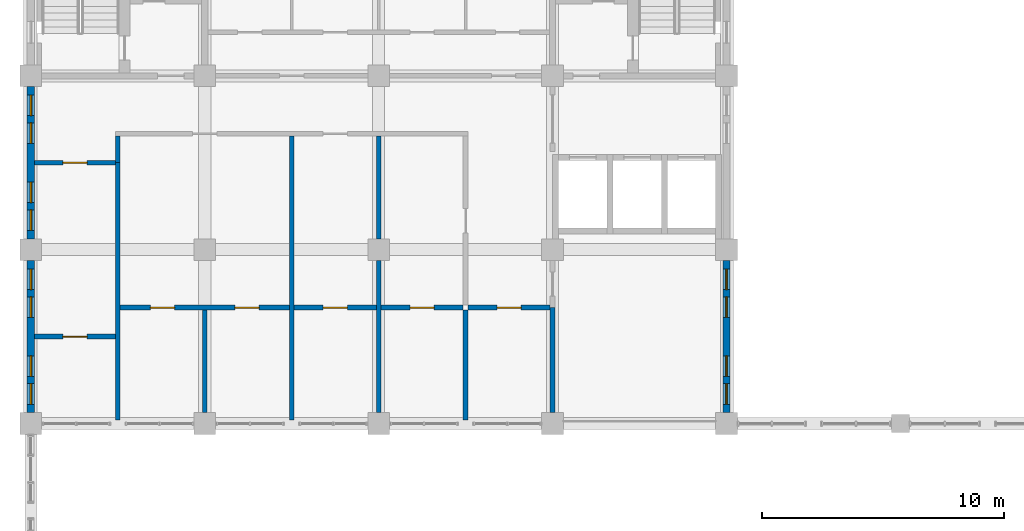
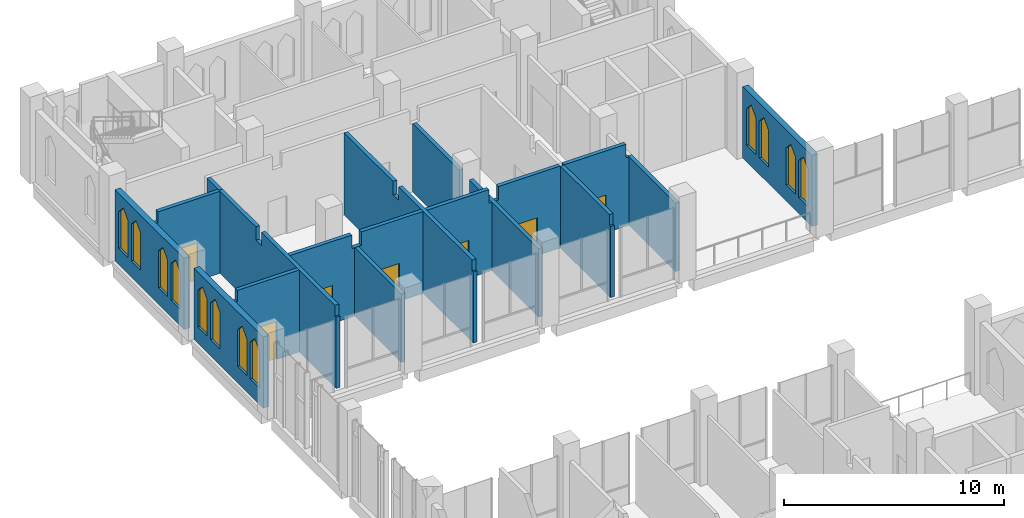
# One storey, part 22 of 30: 17 walls, 12 windows, 7 doors, 19 openings.
"""IFC4 building model written with IfcOpenShell, lengths in metres."""

from ifc_helpers import new_model, si_unit, direction, frame, frame_2d, origin, place, context, subcontext, project, spatial, polyline, rectangle, outline, extrude, material, layer, layer_set, type_object, element, fill, save


model = new_model("IFC4")

# Units and contexts
model_context = context("Model", 3, precision=1e-05, world=origin(), true_north=direction((0.0, 1.0)))
body_context = subcontext(model_context, "Body", "Model", "MODEL_VIEW")
ifc_project = project(units=[si_unit("LENGTHUNIT", "METRE"), si_unit("AREAUNIT", "SQUARE_METRE"), si_unit("VOLUMEUNIT", "CUBIC_METRE"), si_unit("PLANEANGLEUNIT", "RADIAN"), si_unit("MASSUNIT", "GRAM", prefix="KILO")], contexts=[model_context])

# Site, building, storey
site_placement = place(None, origin())
site = spatial("IfcSite", under=ifc_project, at=site_placement, CompositionType="ELEMENT")
building_placement = place(site_placement, origin())
building = spatial("IfcBuilding", under=site, at=building_placement, Name="Silangan Lancet Faculty of Sciences", CompositionType="ELEMENT")
storey_placement = place(building_placement, frame((0.0, 0.0, 31.199951171875)))
storey = spatial("IfcBuildingStorey", under=building, at=storey_placement, Name="L06", CompositionType="ELEMENT", Elevation=31.199951171875)

# Wall, openings, windows
ifc_material_1 = material(Name="Concrete C40/50 precast", Category="concrete")
ifc_layer_1 = layer(ifc_material_1, 0.300048828125)
ifc_layer_set_1 = layer_set([ifc_layer_1], Name="Concrete C40/50 precast")
wall_type_1 = type_object("IfcWallType", Name="EW1 Precast cladding wall", PredefinedType="STANDARD", material=ifc_layer_set_1)
wall_1_placement = place(storey_placement, frame((0.0, 36.449951171875, 0.0), z_axis=(0.0, 0.0, 1.0), x_axis=(0.0, 1.0, 0.0)))
wall_1 = element("IfcWall", 1, at=wall_1_placement, inside=storey, type_object=wall_type_1, Name="EW-L06-W-NT-00", PredefinedType="STANDARD", context=body_context, shape_type="SweptSolid", body=[
    extrude(rectangle(XDim=6.300048828125, YDim=0.300048828125, at=frame_2d((3.14990234375, 0.0))), origin(), (0.0, 0.0, 1.0), 3.949951171875),
])
opening_1_placement = place(wall_1_placement, frame((0.35009765625, 0.0, 0.89990234375)))
opening_1 = element("IfcOpeningElement", 2, at=opening_1_placement, cuts=wall_1, Name="Opening W14", PredefinedType="OPENING", context=body_context, shape_type="SweptSolid", body=[
    extrude(outline(polyline([(0.0, 0.0), (0.85009765625, 0.0), (0.85009765625, 2.050048828125), (0.425048828125, 2.5), (0.0, 2.050048828125), (0.0, 0.0)])), frame((0.0, 0.159912109375, 0.0), z_axis=(0.0, -1.0, 0.0), x_axis=(1.0, 0.0, 0.0)), (0.0, 0.0, 1.0), 0.320068359375),
])
opening_2_placement = place(wall_1_placement, frame((1.5, 0.0, 0.89990234375)))
opening_2 = element("IfcOpeningElement", 3, at=opening_2_placement, cuts=wall_1, Name="Opening W14", PredefinedType="OPENING", context=body_context, shape_type="SweptSolid", body=[
    extrude(outline(polyline([(0.0, 0.0), (0.85009765625, 0.0), (0.85009765625, 2.050048828125), (0.425048828125, 2.5), (0.0, 2.050048828125), (0.0, 0.0)])), frame((0.0, 0.159912109375, 0.0), z_axis=(0.0, -1.0, 0.0), x_axis=(1.0, 0.0, 0.0)), (0.0, 0.0, 1.0), 0.320068359375),
])
opening_3_placement = place(wall_1_placement, frame((3.949951171875, 0.0, 0.89990234375)))
opening_3 = element("IfcOpeningElement", 4, at=opening_3_placement, cuts=wall_1, Name="Opening W14", PredefinedType="OPENING", context=body_context, shape_type="SweptSolid", body=[
    extrude(outline(polyline([(0.0, 0.0), (0.85009765625, 0.0), (0.85009765625, 2.050048828125), (0.425048828125, 2.5), (0.0, 2.050048828125), (0.0, 0.0)])), frame((0.0, 0.159912109375, 0.0), z_axis=(0.0, -1.0, 0.0), x_axis=(1.0, 0.0, 0.0)), (0.0, 0.0, 1.0), 0.320068359375),
])
opening_4_placement = place(wall_1_placement, frame((5.10009765625, 0.0, 0.89990234375)))
opening_4 = element("IfcOpeningElement", 5, at=opening_4_placement, cuts=wall_1, Name="Opening W14", PredefinedType="OPENING", context=body_context, shape_type="SweptSolid", body=[
    extrude(outline(polyline([(0.0, 0.0), (0.85009765625, 0.0), (0.85009765625, 2.050048828125), (0.425048828125, 2.5), (0.0, 2.050048828125), (0.0, 0.0)])), frame((0.0, 0.159912109375, 0.0), z_axis=(0.0, -1.0, 0.0), x_axis=(1.0, 0.0, 0.0)), (0.0, 0.0, 1.0), 0.320068359375),
])
ifc_material_2 = material(Name="Aluminium frame, laminated double glazing", Category="aluminium")
window_type = type_object("IfcWindowType", Name="W14 Lancet window 850 x 2500", PartitioningType="SINGLE_PANEL", PredefinedType="WINDOW", material=ifc_material_2)
window_1_placement = place(opening_1_placement, origin())
window_1 = element("IfcWindow", 6, at=window_1_placement, inside=storey, type_object=window_type, Name="WIN-L06-W-NT-00a1", OverallHeight=2.5, OverallWidth=0.85009765625, PartitioningType="SINGLE_PANEL", PredefinedType="WINDOW", context=body_context, shape_type="SweptSolid", body=[
    extrude(outline(polyline([(0.0, 0.0), (0.85009765625, 0.0), (0.85009765625, 2.050048828125), (0.425048828125, 2.5), (0.0, 2.050048828125), (0.0, 0.0)])), frame((0.0, 0.030029296875, 0.0), z_axis=(0.0, -1.0, 0.0), x_axis=(1.0, 0.0, 0.0)), (0.0, 0.0, 1.0), 0.06005859375),
])
fill(opening_1, window_1)
window_2_placement = place(opening_2_placement, origin())
window_2 = element("IfcWindow", 7, at=window_2_placement, inside=storey, type_object=window_type, Name="WIN-L06-W-NT-00a2", OverallHeight=2.5, OverallWidth=0.85009765625, PartitioningType="SINGLE_PANEL", PredefinedType="WINDOW", context=body_context, shape_type="SweptSolid", body=[
    extrude(outline(polyline([(0.0, 0.0), (0.85009765625, 0.0), (0.85009765625, 2.050048828125), (0.425048828125, 2.5), (0.0, 2.050048828125), (0.0, 0.0)])), frame((0.0, 0.030029296875, 0.0), z_axis=(0.0, -1.0, 0.0), x_axis=(1.0, 0.0, 0.0)), (0.0, 0.0, 1.0), 0.06005859375),
])
fill(opening_2, window_2)
window_3_placement = place(opening_3_placement, origin())
window_3 = element("IfcWindow", 8, at=window_3_placement, inside=storey, type_object=window_type, Name="WIN-L06-W-NT-00b1", OverallHeight=2.5, OverallWidth=0.85009765625, PartitioningType="SINGLE_PANEL", PredefinedType="WINDOW", context=body_context, shape_type="SweptSolid", body=[
    extrude(outline(polyline([(0.0, 0.0), (0.85009765625, 0.0), (0.85009765625, 2.050048828125), (0.425048828125, 2.5), (0.0, 2.050048828125), (0.0, 0.0)])), frame((0.0, 0.030029296875, 0.0), z_axis=(0.0, -1.0, 0.0), x_axis=(1.0, 0.0, 0.0)), (0.0, 0.0, 1.0), 0.06005859375),
])
fill(opening_3, window_3)
window_4_placement = place(opening_4_placement, origin())
window_4 = element("IfcWindow", 9, at=window_4_placement, inside=storey, type_object=window_type, Name="WIN-L06-W-NT-00b2", OverallHeight=2.5, OverallWidth=0.85009765625, PartitioningType="SINGLE_PANEL", PredefinedType="WINDOW", context=body_context, shape_type="SweptSolid", body=[
    extrude(outline(polyline([(0.0, 0.0), (0.85009765625, 0.0), (0.85009765625, 2.050048828125), (0.425048828125, 2.5), (0.0, 2.050048828125), (0.0, 0.0)])), frame((0.0, 0.030029296875, 0.0), z_axis=(0.0, -1.0, 0.0), x_axis=(1.0, 0.0, 0.0)), (0.0, 0.0, 1.0), 0.06005859375),
])
fill(opening_4, window_4)

wall_2_placement = place(storey_placement, frame((0.0, 43.64990234375, 0.0), z_axis=(0.0, 0.0, 1.0), x_axis=(0.0, 1.0, 0.0)))
wall_2 = element("IfcWall", 10, at=wall_2_placement, inside=storey, type_object=wall_type_1, Name="EW-L06-W-NT-01", PredefinedType="STANDARD", context=body_context, shape_type="SweptSolid", body=[
    extrude(rectangle(XDim=6.300048828125, YDim=0.300048828125, at=frame_2d((3.14990234375, 0.0))), origin(), (0.0, 0.0, 1.0), 3.949951171875),
])
opening_5_placement = place(wall_2_placement, frame((0.35009765625, 0.0, 0.89990234375)))
opening_5 = element("IfcOpeningElement", 11, at=opening_5_placement, cuts=wall_2, Name="Opening W14", PredefinedType="OPENING", context=body_context, shape_type="SweptSolid", body=[
    extrude(outline(polyline([(0.0, 0.0), (0.85009765625, 0.0), (0.85009765625, 2.050048828125), (0.425048828125, 2.5), (0.0, 2.050048828125), (0.0, 0.0)])), frame((0.0, 0.159912109375, 0.0), z_axis=(0.0, -1.0, 0.0), x_axis=(1.0, 0.0, 0.0)), (0.0, 0.0, 1.0), 0.320068359375),
])
opening_6_placement = place(wall_2_placement, frame((1.5, 0.0, 0.89990234375)))
opening_6 = element("IfcOpeningElement", 12, at=opening_6_placement, cuts=wall_2, Name="Opening W14", PredefinedType="OPENING", context=body_context, shape_type="SweptSolid", body=[
    extrude(outline(polyline([(0.0, 0.0), (0.85009765625, 0.0), (0.85009765625, 2.050048828125), (0.425048828125, 2.5), (0.0, 2.050048828125), (0.0, 0.0)])), frame((0.0, 0.159912109375, 0.0), z_axis=(0.0, -1.0, 0.0), x_axis=(1.0, 0.0, 0.0)), (0.0, 0.0, 1.0), 0.320068359375),
])
opening_7_placement = place(wall_2_placement, frame((3.949951171875, 0.0, 0.89990234375)))
opening_7 = element("IfcOpeningElement", 13, at=opening_7_placement, cuts=wall_2, Name="Opening W14", PredefinedType="OPENING", context=body_context, shape_type="SweptSolid", body=[
    extrude(outline(polyline([(0.0, 0.0), (0.85009765625, 0.0), (0.85009765625, 2.050048828125), (0.425048828125, 2.5), (0.0, 2.050048828125), (0.0, 0.0)])), frame((0.0, 0.159912109375, 0.0), z_axis=(0.0, -1.0, 0.0), x_axis=(1.0, 0.0, 0.0)), (0.0, 0.0, 1.0), 0.320068359375),
])
opening_8_placement = place(wall_2_placement, frame((5.10009765625, 0.0, 0.89990234375)))
opening_8 = element("IfcOpeningElement", 14, at=opening_8_placement, cuts=wall_2, Name="Opening W14", PredefinedType="OPENING", context=body_context, shape_type="SweptSolid", body=[
    extrude(outline(polyline([(0.0, 0.0), (0.85009765625, 0.0), (0.85009765625, 2.050048828125), (0.425048828125, 2.5), (0.0, 2.050048828125), (0.0, 0.0)])), frame((0.0, 0.159912109375, 0.0), z_axis=(0.0, -1.0, 0.0), x_axis=(1.0, 0.0, 0.0)), (0.0, 0.0, 1.0), 0.320068359375),
])
window_5_placement = place(opening_5_placement, origin())
window_5 = element("IfcWindow", 15, at=window_5_placement, inside=storey, type_object=window_type, Name="WIN-L06-W-NT-01a1", OverallHeight=2.5, OverallWidth=0.85009765625, PartitioningType="SINGLE_PANEL", PredefinedType="WINDOW", context=body_context, shape_type="SweptSolid", body=[
    extrude(outline(polyline([(0.0, 0.0), (0.85009765625, 0.0), (0.85009765625, 2.050048828125), (0.425048828125, 2.5), (0.0, 2.050048828125), (0.0, 0.0)])), frame((0.0, 0.030029296875, 0.0), z_axis=(0.0, -1.0, 0.0), x_axis=(1.0, 0.0, 0.0)), (0.0, 0.0, 1.0), 0.06005859375),
])
fill(opening_5, window_5)
window_6_placement = place(opening_6_placement, origin())
window_6 = element("IfcWindow", 16, at=window_6_placement, inside=storey, type_object=window_type, Name="WIN-L06-W-NT-01a2", OverallHeight=2.5, OverallWidth=0.85009765625, PartitioningType="SINGLE_PANEL", PredefinedType="WINDOW", context=body_context, shape_type="SweptSolid", body=[
    extrude(outline(polyline([(0.0, 0.0), (0.85009765625, 0.0), (0.85009765625, 2.050048828125), (0.425048828125, 2.5), (0.0, 2.050048828125), (0.0, 0.0)])), frame((0.0, 0.030029296875, 0.0), z_axis=(0.0, -1.0, 0.0), x_axis=(1.0, 0.0, 0.0)), (0.0, 0.0, 1.0), 0.06005859375),
])
fill(opening_6, window_6)
window_7_placement = place(opening_7_placement, origin())
window_7 = element("IfcWindow", 17, at=window_7_placement, inside=storey, type_object=window_type, Name="WIN-L06-W-NT-01b1", OverallHeight=2.5, OverallWidth=0.85009765625, PartitioningType="SINGLE_PANEL", PredefinedType="WINDOW", context=body_context, shape_type="SweptSolid", body=[
    extrude(outline(polyline([(0.0, 0.0), (0.85009765625, 0.0), (0.85009765625, 2.050048828125), (0.425048828125, 2.5), (0.0, 2.050048828125), (0.0, 0.0)])), frame((0.0, 0.030029296875, 0.0), z_axis=(0.0, -1.0, 0.0), x_axis=(1.0, 0.0, 0.0)), (0.0, 0.0, 1.0), 0.06005859375),
])
fill(opening_7, window_7)
window_8_placement = place(opening_8_placement, origin())
window_8 = element("IfcWindow", 18, at=window_8_placement, inside=storey, type_object=window_type, Name="WIN-L06-W-NT-01b2", OverallHeight=2.5, OverallWidth=0.85009765625, PartitioningType="SINGLE_PANEL", PredefinedType="WINDOW", context=body_context, shape_type="SweptSolid", body=[
    extrude(outline(polyline([(0.0, 0.0), (0.85009765625, 0.0), (0.85009765625, 2.050048828125), (0.425048828125, 2.5), (0.0, 2.050048828125), (0.0, 0.0)])), frame((0.0, 0.030029296875, 0.0), z_axis=(0.0, -1.0, 0.0), x_axis=(1.0, 0.0, 0.0)), (0.0, 0.0, 1.0), 0.06005859375),
])
fill(opening_8, window_8)

wall_3_placement = place(storey_placement, frame((28.800048828125, 36.449951171875, 0.0), z_axis=(0.0, 0.0, 1.0), x_axis=(0.0, 1.0, 0.0)))
wall_3 = element("IfcWall", 19, at=wall_3_placement, inside=storey, type_object=wall_type_1, Name="EW-L06-E-NT-00", PredefinedType="STANDARD", context=body_context, shape_type="SweptSolid", body=[
    extrude(rectangle(XDim=6.300048828125, YDim=0.300048828125, at=frame_2d((3.14990234375, 0.0))), origin(), (0.0, 0.0, 1.0), 3.949951171875),
])
opening_9_placement = place(wall_3_placement, frame((0.35009765625, 0.0, 0.89990234375)))
opening_9 = element("IfcOpeningElement", 20, at=opening_9_placement, cuts=wall_3, Name="Opening W14", PredefinedType="OPENING", context=body_context, shape_type="SweptSolid", body=[
    extrude(outline(polyline([(0.0, 0.0), (0.85009765625, 0.0), (0.85009765625, 2.050048828125), (0.425048828125, 2.5), (0.0, 2.050048828125), (0.0, 0.0)])), frame((0.0, 0.159912109375, 0.0), z_axis=(0.0, -1.0, 0.0), x_axis=(1.0, 0.0, 0.0)), (0.0, 0.0, 1.0), 0.320068359375),
])
opening_10_placement = place(wall_3_placement, frame((1.5, 0.0, 0.89990234375)))
opening_10 = element("IfcOpeningElement", 21, at=opening_10_placement, cuts=wall_3, Name="Opening W14", PredefinedType="OPENING", context=body_context, shape_type="SweptSolid", body=[
    extrude(outline(polyline([(0.0, 0.0), (0.85009765625, 0.0), (0.85009765625, 2.050048828125), (0.425048828125, 2.5), (0.0, 2.050048828125), (0.0, 0.0)])), frame((0.0, 0.159912109375, 0.0), z_axis=(0.0, -1.0, 0.0), x_axis=(1.0, 0.0, 0.0)), (0.0, 0.0, 1.0), 0.320068359375),
])
opening_11_placement = place(wall_3_placement, frame((3.949951171875, 0.0, 0.89990234375)))
opening_11 = element("IfcOpeningElement", 22, at=opening_11_placement, cuts=wall_3, Name="Opening W14", PredefinedType="OPENING", context=body_context, shape_type="SweptSolid", body=[
    extrude(outline(polyline([(0.0, 0.0), (0.85009765625, 0.0), (0.85009765625, 2.050048828125), (0.425048828125, 2.5), (0.0, 2.050048828125), (0.0, 0.0)])), frame((0.0, 0.159912109375, 0.0), z_axis=(0.0, -1.0, 0.0), x_axis=(1.0, 0.0, 0.0)), (0.0, 0.0, 1.0), 0.320068359375),
])
opening_12_placement = place(wall_3_placement, frame((5.10009765625, 0.0, 0.89990234375)))
opening_12 = element("IfcOpeningElement", 23, at=opening_12_placement, cuts=wall_3, Name="Opening W14", PredefinedType="OPENING", context=body_context, shape_type="SweptSolid", body=[
    extrude(outline(polyline([(0.0, 0.0), (0.85009765625, 0.0), (0.85009765625, 2.050048828125), (0.425048828125, 2.5), (0.0, 2.050048828125), (0.0, 0.0)])), frame((0.0, 0.159912109375, 0.0), z_axis=(0.0, -1.0, 0.0), x_axis=(1.0, 0.0, 0.0)), (0.0, 0.0, 1.0), 0.320068359375),
])
window_9_placement = place(opening_9_placement, origin())
window_9 = element("IfcWindow", 24, at=window_9_placement, inside=storey, type_object=window_type, Name="WIN-L06-E-NT-00a1", OverallHeight=2.5, OverallWidth=0.85009765625, PartitioningType="SINGLE_PANEL", PredefinedType="WINDOW", context=body_context, shape_type="SweptSolid", body=[
    extrude(outline(polyline([(0.0, 0.0), (0.85009765625, 0.0), (0.85009765625, 2.050048828125), (0.425048828125, 2.5), (0.0, 2.050048828125), (0.0, 0.0)])), frame((0.0, 0.030029296875, 0.0), z_axis=(0.0, -1.0, 0.0), x_axis=(1.0, 0.0, 0.0)), (0.0, 0.0, 1.0), 0.06005859375),
])
fill(opening_9, window_9)
window_10_placement = place(opening_10_placement, origin())
window_10 = element("IfcWindow", 25, at=window_10_placement, inside=storey, type_object=window_type, Name="WIN-L06-E-NT-00a2", OverallHeight=2.5, OverallWidth=0.85009765625, PartitioningType="SINGLE_PANEL", PredefinedType="WINDOW", context=body_context, shape_type="SweptSolid", body=[
    extrude(outline(polyline([(0.0, 0.0), (0.85009765625, 0.0), (0.85009765625, 2.050048828125), (0.425048828125, 2.5), (0.0, 2.050048828125), (0.0, 0.0)])), frame((0.0, 0.030029296875, 0.0), z_axis=(0.0, -1.0, 0.0), x_axis=(1.0, 0.0, 0.0)), (0.0, 0.0, 1.0), 0.06005859375),
])
fill(opening_10, window_10)
window_11_placement = place(opening_11_placement, origin())
window_11 = element("IfcWindow", 26, at=window_11_placement, inside=storey, type_object=window_type, Name="WIN-L06-E-NT-00b1", OverallHeight=2.5, OverallWidth=0.85009765625, PartitioningType="SINGLE_PANEL", PredefinedType="WINDOW", context=body_context, shape_type="SweptSolid", body=[
    extrude(outline(polyline([(0.0, 0.0), (0.85009765625, 0.0), (0.85009765625, 2.050048828125), (0.425048828125, 2.5), (0.0, 2.050048828125), (0.0, 0.0)])), frame((0.0, 0.030029296875, 0.0), z_axis=(0.0, -1.0, 0.0), x_axis=(1.0, 0.0, 0.0)), (0.0, 0.0, 1.0), 0.06005859375),
])
fill(opening_11, window_11)
window_12_placement = place(opening_12_placement, origin())
window_12 = element("IfcWindow", 27, at=window_12_placement, inside=storey, type_object=window_type, Name="WIN-L06-E-NT-00b2", OverallHeight=2.5, OverallWidth=0.85009765625, PartitioningType="SINGLE_PANEL", PredefinedType="WINDOW", context=body_context, shape_type="SweptSolid", body=[
    extrude(outline(polyline([(0.0, 0.0), (0.85009765625, 0.0), (0.85009765625, 2.050048828125), (0.425048828125, 2.5), (0.0, 2.050048828125), (0.0, 0.0)])), frame((0.0, 0.030029296875, 0.0), z_axis=(0.0, -1.0, 0.0), x_axis=(1.0, 0.0, 0.0)), (0.0, 0.0, 1.0), 0.06005859375),
])
fill(opening_12, window_12)

# Wall, opening, door
ifc_material_3 = material(Name="Hollow block masonry fm 7 MPa", Category="masonry")
ifc_layer_2 = layer(ifc_material_3, 0.199951171875)
ifc_layer_set_2 = layer_set([ifc_layer_2], Name="Hollow block masonry fm 7 MPa")
wall_type_2 = type_object("IfcWallType", Name="Interior wall PW1 Corridor wall CHB 200", PredefinedType="PARTITIONING", material=ifc_layer_set_2)
wall_4_placement = place(storey_placement, frame((18.10009765625, 40.800048828125, 0.0), z_axis=(0.0, 0.0, 1.0), x_axis=(1.0, 0.0, 0.0)))
wall_4 = element("IfcWall", 28, at=wall_4_placement, inside=storey, type_object=wall_type_2, Name="Corridor wall CHB 200", PredefinedType="PARTITIONING", context=body_context, shape_type="SweptSolid", body=[
    extrude(outline(polyline([(0.0, 0.0), (3.39990234375, 0.0), (3.39990234375, 3.800048828125), (3.25, 3.800048828125), (3.25, 4.550048828125), (0.0, 4.550048828125), (0.0, 0.0)])), frame((0.0, 0.10009765625, 0.0), z_axis=(0.0, -1.0, 0.0), x_axis=(1.0, 0.0, 0.0)), (0.0, 0.0, 1.0), 0.199951171875),
])
opening_13_placement = place(wall_4_placement, frame((1.199951171875, 0.0, 0.0)))
opening_13 = element("IfcOpeningElement", 29, at=opening_13_placement, cuts=wall_4, Name="Opening L06-024", PredefinedType="OPENING", context=body_context, shape_type="SweptSolid", body=[
    extrude(rectangle(XDim=1.0, YDim=2.10009765625, at=frame_2d((0.5, 1.050048828125))), frame((0.0, 0.10986328125, 0.0), z_axis=(0.0, -1.0, 0.0), x_axis=(1.0, 0.0, 0.0)), (0.0, 0.0, 1.0), 0.219970703125),
])
ifc_material_4 = material(Name="Steel fire door set", Category="steel")
door_type = type_object("IfcDoorType", Name="Door D1 Single leaf fire door 1000 x 2100", OperationType="SINGLE_SWING_LEFT", PredefinedType="DOOR", material=ifc_material_4)
door_1_placement = place(opening_13_placement, frame((1.0, 0.0, 0.0), z_axis=(0.0, 0.0, 1.0), x_axis=(-1.0, 0.0, 0.0)))
door_1 = element("IfcDoor", 30, at=door_1_placement, inside=storey, type_object=door_type, Name="Single leaf fire door 1000 x 2100", OperationType="SINGLE_SWING_LEFT", OverallHeight=2.10009765625, OverallWidth=1.0, PredefinedType="DOOR", context=body_context, shape_type="SweptSolid", body=[
    extrude(rectangle(XDim=1.0, YDim=2.10009765625, at=frame_2d((0.5, 1.050048828125))), frame((0.0, 0.025146484375, 0.0), z_axis=(0.0, -1.0, 0.0), x_axis=(1.0, 0.0, 0.0)), (0.0, 0.0, 1.0), 0.050048828125),
])
fill(opening_13, door_1)

wall_5_placement = place(storey_placement, frame((0.14990234375, 46.800048828125, 0.0), z_axis=(0.0, 0.0, 1.0), x_axis=(1.0, 0.0, 0.0)))
wall_5 = element("IfcWall", 31, at=wall_5_placement, inside=storey, type_object=wall_type_2, Name="Corridor wall CHB 200", PredefinedType="PARTITIONING", context=body_context, shape_type="SweptSolid", body=[
    extrude(outline(polyline([(0.0, 0.0), (3.35009765625, 0.0), (3.35009765625, 4.550048828125), (0.10009765625, 4.550048828125), (0.10009765625, 3.949951171875), (0.0, 3.949951171875), (0.0, 0.0)])), frame((0.0, 0.10009765625, 0.0), z_axis=(0.0, -1.0, 0.0), x_axis=(1.0, 0.0, 0.0)), (0.0, 0.0, 1.0), 0.199951171875),
])
opening_14_placement = place(wall_5_placement, frame((1.175048828125, 0.0, 0.0)))
opening_14 = element("IfcOpeningElement", 32, at=opening_14_placement, cuts=wall_5, Name="Opening L06-026", PredefinedType="OPENING", context=body_context, shape_type="SweptSolid", body=[
    extrude(rectangle(XDim=1.0, YDim=2.10009765625, at=frame_2d((0.5, 1.050048828125))), frame((0.0, 0.10986328125, 0.0), z_axis=(0.0, -1.0, 0.0), x_axis=(1.0, 0.0, 0.0)), (0.0, 0.0, 1.0), 0.219970703125),
])
door_2_placement = place(opening_14_placement, frame((1.0, 0.0, 0.0), z_axis=(0.0, 0.0, 1.0), x_axis=(-1.0, 0.0, 0.0)))
door_2 = element("IfcDoor", 33, at=door_2_placement, inside=storey, type_object=door_type, Name="Single leaf fire door 1000 x 2100", OperationType="SINGLE_SWING_LEFT", OverallHeight=2.10009765625, OverallWidth=1.0, PredefinedType="DOOR", context=body_context, shape_type="SweptSolid", body=[
    extrude(rectangle(XDim=1.0, YDim=2.10009765625, at=frame_2d((0.5, 1.050048828125))), frame((0.0, 0.025146484375, 0.0), z_axis=(0.0, -1.0, 0.0), x_axis=(1.0, 0.0, 0.0)), (0.0, 0.0, 1.0), 0.050048828125),
])
fill(opening_14, door_2)

# Wall
wall_6_placement = place(storey_placement, frame((3.60009765625, 46.800048828125, 0.0), z_axis=(0.0, 0.0, 1.0), x_axis=(0.0, 1.0, 0.0)))
element("IfcWall", 34, at=wall_6_placement, inside=storey, type_object=wall_type_2, Name="Corridor wall CHB 200", PredefinedType="PARTITIONING", context=body_context, shape_type="SweptSolid", body=[
    extrude(rectangle(XDim=1.099853515625, YDim=0.199951171875, at=frame_2d((0.5498046875, 0.0))), origin(), (0.0, 0.0, 1.0), 4.550048828125),
])

# Wall, opening, door
ifc_material_5 = material(Name="Hollow block masonry fm 7 MPa", Category="masonry")
ifc_layer_3 = layer(ifc_material_5, 0.199951171875)
ifc_layer_set_3 = layer_set([ifc_layer_3], Name="Hollow block masonry fm 7 MPa")
wall_type_3 = type_object("IfcWallType", Name="Interior wall PW4 Laboratory separation CHB 200", PredefinedType="PARTITIONING", material=ifc_layer_set_3)
wall_7_placement = place(storey_placement, frame((0.14990234375, 39.60009765625, 0.0), z_axis=(0.0, 0.0, 1.0), x_axis=(1.0, 0.0, 0.0)))
wall_7 = element("IfcWall", 35, at=wall_7_placement, inside=storey, type_object=wall_type_3, Name="Laboratory separation CHB 200", PredefinedType="PARTITIONING", context=body_context, shape_type="SweptSolid", body=[
    extrude(outline(polyline([(0.0, 0.0), (3.35009765625, 0.0), (3.35009765625, 4.550048828125), (0.10009765625, 4.550048828125), (0.10009765625, 3.949951171875), (0.0, 3.949951171875), (0.0, 0.0)])), frame((0.0, 0.10009765625, 0.0), z_axis=(0.0, -1.0, 0.0), x_axis=(1.0, 0.0, 0.0)), (0.0, 0.0, 1.0), 0.199951171875),
])
opening_15_placement = place(wall_7_placement, frame((1.175048828125, 0.0, 0.0)))
opening_15 = element("IfcOpeningElement", 36, at=opening_15_placement, cuts=wall_7, Name="Opening L06-027", PredefinedType="OPENING", context=body_context, shape_type="SweptSolid", body=[
    extrude(rectangle(XDim=1.0, YDim=2.10009765625, at=frame_2d((0.5, 1.050048828125))), frame((0.0, 0.10986328125, 0.0), z_axis=(0.0, -1.0, 0.0), x_axis=(1.0, 0.0, 0.0)), (0.0, 0.0, 1.0), 0.219970703125),
])
door_3_placement = place(opening_15_placement, frame((1.0, 0.0, 0.0), z_axis=(0.0, 0.0, 1.0), x_axis=(-1.0, 0.0, 0.0)))
door_3 = element("IfcDoor", 37, at=door_3_placement, inside=storey, type_object=door_type, Name="Single leaf fire door 1000 x 2100", OperationType="SINGLE_SWING_RIGHT", OverallHeight=2.10009765625, OverallWidth=1.0, PredefinedType="DOOR", context=body_context, shape_type="SweptSolid", body=[
    extrude(rectangle(XDim=1.0, YDim=2.10009765625, at=frame_2d((0.5, 1.050048828125))), frame((0.0, 0.025146484375, 0.0), z_axis=(0.0, -1.0, 0.0), x_axis=(1.0, 0.0, 0.0)), (0.0, 0.0, 1.0), 0.050048828125),
])
fill(opening_15, door_3)

# Wall, openings, doors
wall_8_placement = place(storey_placement, frame((3.699951171875, 40.800048828125, 0.0), z_axis=(0.0, 0.0, 1.0), x_axis=(1.0, 0.0, 0.0)))
wall_8 = element("IfcWall", 38, at=wall_8_placement, inside=storey, type_object=wall_type_3, Name="Laboratory separation CHB 200", PredefinedType="PARTITIONING", context=body_context, shape_type="SweptSolid", body=[
    extrude(outline(polyline([(0.0, 0.0), (7.0, 0.0), (7.0, 4.550048828125), (3.75, 4.550048828125), (3.75, 3.800048828125), (3.25, 3.800048828125), (3.25, 4.550048828125), (0.0, 4.550048828125), (0.0, 0.0)])), frame((0.0, 0.10009765625, 0.0), z_axis=(0.0, -1.0, 0.0), x_axis=(1.0, 0.0, 0.0)), (0.0, 0.0, 1.0), 0.199951171875),
])
opening_16_placement = place(wall_8_placement, frame((1.25, 0.0, 0.0)))
opening_16 = element("IfcOpeningElement", 39, at=opening_16_placement, cuts=wall_8, Name="Opening L06-029", PredefinedType="OPENING", context=body_context, shape_type="SweptSolid", body=[
    extrude(rectangle(XDim=1.0, YDim=2.10009765625, at=frame_2d((0.5, 1.050048828125))), frame((0.0, 0.10986328125, 0.0), z_axis=(0.0, -1.0, 0.0), x_axis=(1.0, 0.0, 0.0)), (0.0, 0.0, 1.0), 0.219970703125),
])
opening_17_placement = place(wall_8_placement, frame((4.75, 0.0, 0.0)))
opening_17 = element("IfcOpeningElement", 40, at=opening_17_placement, cuts=wall_8, Name="Opening L06-030", PredefinedType="OPENING", context=body_context, shape_type="SweptSolid", body=[
    extrude(rectangle(XDim=1.0, YDim=2.10009765625, at=frame_2d((0.5, 1.050048828125))), frame((0.0, 0.10986328125, 0.0), z_axis=(0.0, -1.0, 0.0), x_axis=(1.0, 0.0, 0.0)), (0.0, 0.0, 1.0), 0.219970703125),
])
door_4_placement = place(opening_16_placement, frame((1.0, 0.0, 0.0), z_axis=(0.0, 0.0, 1.0), x_axis=(-1.0, 0.0, 0.0)))
door_4 = element("IfcDoor", 41, at=door_4_placement, inside=storey, type_object=door_type, Name="Single leaf fire door 1000 x 2100", OperationType="SINGLE_SWING_RIGHT", OverallHeight=2.10009765625, OverallWidth=1.0, PredefinedType="DOOR", context=body_context, shape_type="SweptSolid", body=[
    extrude(rectangle(XDim=1.0, YDim=2.10009765625, at=frame_2d((0.5, 1.050048828125))), frame((0.0, 0.025146484375, 0.0), z_axis=(0.0, -1.0, 0.0), x_axis=(1.0, 0.0, 0.0)), (0.0, 0.0, 1.0), 0.050048828125),
])
fill(opening_16, door_4)
door_5_placement = place(opening_17_placement, frame((1.0, 0.0, 0.0), z_axis=(0.0, 0.0, 1.0), x_axis=(-1.0, 0.0, 0.0)))
door_5 = element("IfcDoor", 42, at=door_5_placement, inside=storey, type_object=door_type, Name="Single leaf fire door 1000 x 2100", OperationType="SINGLE_SWING_LEFT", OverallHeight=2.10009765625, OverallWidth=1.0, PredefinedType="DOOR", context=body_context, shape_type="SweptSolid", body=[
    extrude(rectangle(XDim=1.0, YDim=2.10009765625, at=frame_2d((0.5, 1.050048828125))), frame((0.0, 0.025146484375, 0.0), z_axis=(0.0, -1.0, 0.0), x_axis=(1.0, 0.0, 0.0)), (0.0, 0.0, 1.0), 0.050048828125),
])
fill(opening_17, door_5)

# Wall, opening, door
wall_9_placement = place(storey_placement, frame((10.89990234375, 40.800048828125, 0.0), z_axis=(0.0, 0.0, 1.0), x_axis=(1.0, 0.0, 0.0)))
wall_9 = element("IfcWall", 43, at=wall_9_placement, inside=storey, type_object=wall_type_3, Name="Laboratory separation CHB 200", PredefinedType="PARTITIONING", context=body_context, shape_type="SweptSolid", body=[
    extrude(outline(polyline([(0.0, 0.0), (3.400146484375, 0.0), (3.400146484375, 3.800048828125), (3.25, 3.800048828125), (3.25, 4.550048828125), (0.0, 4.550048828125), (0.0, 0.0)])), frame((0.0, 0.10009765625, 0.0), z_axis=(0.0, -1.0, 0.0), x_axis=(1.0, 0.0, 0.0)), (0.0, 0.0, 1.0), 0.199951171875),
])
opening_18_placement = place(wall_9_placement, frame((1.2001953125, 0.0, 0.0)))
opening_18 = element("IfcOpeningElement", 44, at=opening_18_placement, cuts=wall_9, Name="Opening L06-032", PredefinedType="OPENING", context=body_context, shape_type="SweptSolid", body=[
    extrude(rectangle(XDim=1.0, YDim=2.10009765625, at=frame_2d((0.5, 1.050048828125))), frame((0.0, 0.10986328125, 0.0), z_axis=(0.0, -1.0, 0.0), x_axis=(1.0, 0.0, 0.0)), (0.0, 0.0, 1.0), 0.219970703125),
])
door_6_placement = place(opening_18_placement, frame((1.0, 0.0, 0.0), z_axis=(0.0, 0.0, 1.0), x_axis=(-1.0, 0.0, 0.0)))
door_6 = element("IfcDoor", 45, at=door_6_placement, inside=storey, type_object=door_type, Name="Single leaf fire door 1000 x 2100", OperationType="SINGLE_SWING_LEFT", OverallHeight=2.10009765625, OverallWidth=1.0, PredefinedType="DOOR", context=body_context, shape_type="SweptSolid", body=[
    extrude(rectangle(XDim=1.0, YDim=2.10009765625, at=frame_2d((0.5, 1.050048828125))), frame((0.0, 0.025146484375, 0.0), z_axis=(0.0, -1.0, 0.0), x_axis=(1.0, 0.0, 0.0)), (0.0, 0.0, 1.0), 0.050048828125),
])
fill(opening_18, door_6)

wall_10_placement = place(storey_placement, frame((14.5, 40.800048828125, 0.0), z_axis=(0.0, 0.0, 1.0), x_axis=(1.0, 0.0, 0.0)))
wall_10 = element("IfcWall", 46, at=wall_10_placement, inside=storey, type_object=wall_type_3, Name="Laboratory separation CHB 200", PredefinedType="PARTITIONING", context=body_context, shape_type="SweptSolid", body=[
    extrude(outline(polyline([(0.0, 0.0), (3.39990234375, 0.0), (3.39990234375, 4.550048828125), (0.14990234375, 4.550048828125), (0.14990234375, 3.800048828125), (0.0, 3.800048828125), (0.0, 0.0)])), frame((0.0, 0.10009765625, 0.0), z_axis=(0.0, -1.0, 0.0), x_axis=(1.0, 0.0, 0.0)), (0.0, 0.0, 1.0), 0.199951171875),
])
opening_19_placement = place(wall_10_placement, frame((1.199951171875, 0.0, 0.0)))
opening_19 = element("IfcOpeningElement", 47, at=opening_19_placement, cuts=wall_10, Name="Opening L06-034", PredefinedType="OPENING", context=body_context, shape_type="SweptSolid", body=[
    extrude(rectangle(XDim=1.0, YDim=2.10009765625, at=frame_2d((0.5, 1.050048828125))), frame((0.0, 0.10986328125, 0.0), z_axis=(0.0, -1.0, 0.0), x_axis=(1.0, 0.0, 0.0)), (0.0, 0.0, 1.0), 0.219970703125),
])
door_7_placement = place(opening_19_placement, frame((1.0, 0.0, 0.0), z_axis=(0.0, 0.0, 1.0), x_axis=(-1.0, 0.0, 0.0)))
door_7 = element("IfcDoor", 48, at=door_7_placement, inside=storey, type_object=door_type, Name="Single leaf fire door 1000 x 2100", OperationType="SINGLE_SWING_LEFT", OverallHeight=2.10009765625, OverallWidth=1.0, PredefinedType="DOOR", context=body_context, shape_type="SweptSolid", body=[
    extrude(rectangle(XDim=1.0, YDim=2.10009765625, at=frame_2d((0.5, 1.050048828125))), frame((0.0, 0.025146484375, 0.0), z_axis=(0.0, -1.0, 0.0), x_axis=(1.0, 0.0, 0.0)), (0.0, 0.0, 1.0), 0.050048828125),
])
fill(opening_19, door_7)

# Walls
wall_11_placement = place(storey_placement, frame((3.60009765625, 36.14990234375, 0.0), z_axis=(0.0, 0.0, 1.0), x_axis=(0.0, 1.0, 0.0)))
element("IfcWall", 49, at=wall_11_placement, inside=storey, type_object=wall_type_3, Name="Laboratory separation CHB 200", PredefinedType="PARTITIONING", context=body_context, shape_type="SweptSolid", body=[
    extrude(outline(polyline([(0.0, 0.0), (10.650146484375, 0.0), (10.650146484375, 4.550048828125), (7.300048828125, 4.550048828125), (7.300048828125, 3.800048828125), (6.800048828125, 3.800048828125), (6.800048828125, 4.550048828125), (0.10009765625, 4.550048828125), (0.10009765625, 3.949951171875), (0.0, 3.949951171875), (0.0, 0.0)])), frame((0.0, 0.10009765625, 0.0), z_axis=(0.0, -1.0, 0.0), x_axis=(1.0, 0.0, 0.0)), (0.0, 0.0, 1.0), 0.199951171875),
])
wall_12_placement = place(storey_placement, frame((7.199951171875, 36.449951171875, 0.0), z_axis=(0.0, 0.0, 1.0), x_axis=(0.0, 1.0, 0.0)))
element("IfcWall", 50, at=wall_12_placement, inside=storey, type_object=wall_type_3, Name="Laboratory separation CHB 200", PredefinedType="PARTITIONING", context=body_context, shape_type="SweptSolid", body=[
    extrude(rectangle(XDim=4.25, YDim=0.199951171875, at=frame_2d((2.125, 0.0))), origin(), (0.0, 0.0, 1.0), 3.800048828125),
])
wall_13_placement = place(storey_placement, frame((10.800048828125, 36.14990234375, 0.0), z_axis=(0.0, 0.0, 1.0), x_axis=(0.0, 1.0, 0.0)))
element("IfcWall", 51, at=wall_13_placement, inside=storey, type_object=wall_type_3, Name="Laboratory separation CHB 200", PredefinedType="PARTITIONING", context=body_context, shape_type="SweptSolid", body=[
    extrude(outline(polyline([(0.0, 0.0), (11.75, 0.0), (11.75, 4.550048828125), (7.300048828125, 4.550048828125), (7.300048828125, 3.800048828125), (6.800048828125, 3.800048828125), (6.800048828125, 4.550048828125), (0.10009765625, 4.550048828125), (0.10009765625, 3.949951171875), (0.0, 3.949951171875), (0.0, 0.0)])), frame((0.0, 0.10009765625, 0.0), z_axis=(0.0, -1.0, 0.0), x_axis=(1.0, 0.0, 0.0)), (0.0, 0.0, 1.0), 0.199951171875),
])
wall_14_placement = place(storey_placement, frame((14.39990234375, 36.449951171875, 0.0), z_axis=(0.0, 0.0, 1.0), x_axis=(0.0, 1.0, 0.0)))
element("IfcWall", 52, at=wall_14_placement, inside=storey, type_object=wall_type_3, Name="Laboratory separation CHB 200", PredefinedType="PARTITIONING", context=body_context, shape_type="SweptSolid", body=[
    extrude(rectangle(XDim=6.300048828125, YDim=0.199951171875, at=frame_2d((3.14990234375, 0.0))), origin(), (0.0, 0.0, 1.0), 3.800048828125),
])
wall_15_placement = place(storey_placement, frame((14.39990234375, 43.64990234375, 0.0), z_axis=(0.0, 0.0, 1.0), x_axis=(0.0, 1.0, 0.0)))
element("IfcWall", 53, at=wall_15_placement, inside=storey, type_object=wall_type_3, Name="Laboratory separation CHB 200", PredefinedType="PARTITIONING", context=body_context, shape_type="SweptSolid", body=[
    extrude(rectangle(XDim=4.25, YDim=0.199951171875, at=frame_2d((2.125, 0.0))), origin(), (0.0, 0.0, 1.0), 3.800048828125),
])
wall_16_placement = place(storey_placement, frame((18.0, 36.14990234375, 0.0), z_axis=(0.0, 0.0, 1.0), x_axis=(0.0, 1.0, 0.0)))
element("IfcWall", 54, at=wall_16_placement, inside=storey, type_object=wall_type_3, Name="Laboratory separation CHB 200", PredefinedType="PARTITIONING", context=body_context, shape_type="SweptSolid", body=[
    extrude(outline(polyline([(0.0, 0.0), (4.550048828125, 0.0), (4.550048828125, 4.550048828125), (0.10009765625, 4.550048828125), (0.10009765625, 3.949951171875), (0.0, 3.949951171875), (0.0, 0.0)])), frame((0.0, 0.10009765625, 0.0), z_axis=(0.0, -1.0, 0.0), x_axis=(1.0, 0.0, 0.0)), (0.0, 0.0, 1.0), 0.199951171875),
])
wall_17_placement = place(storey_placement, frame((21.60009765625, 36.449951171875, 0.0), z_axis=(0.0, 0.0, 1.0), x_axis=(0.0, 1.0, 0.0)))
element("IfcWall", 55, at=wall_17_placement, inside=storey, type_object=wall_type_3, Name="Laboratory separation CHB 200", PredefinedType="PARTITIONING", context=body_context, shape_type="SweptSolid", body=[
    extrude(rectangle(XDim=4.35009765625, YDim=0.199951171875, at=frame_2d((2.175048828125, 0.0))), origin(), (0.0, 0.0, 1.0), 3.800048828125),
])

save(model, "model.ifc")
